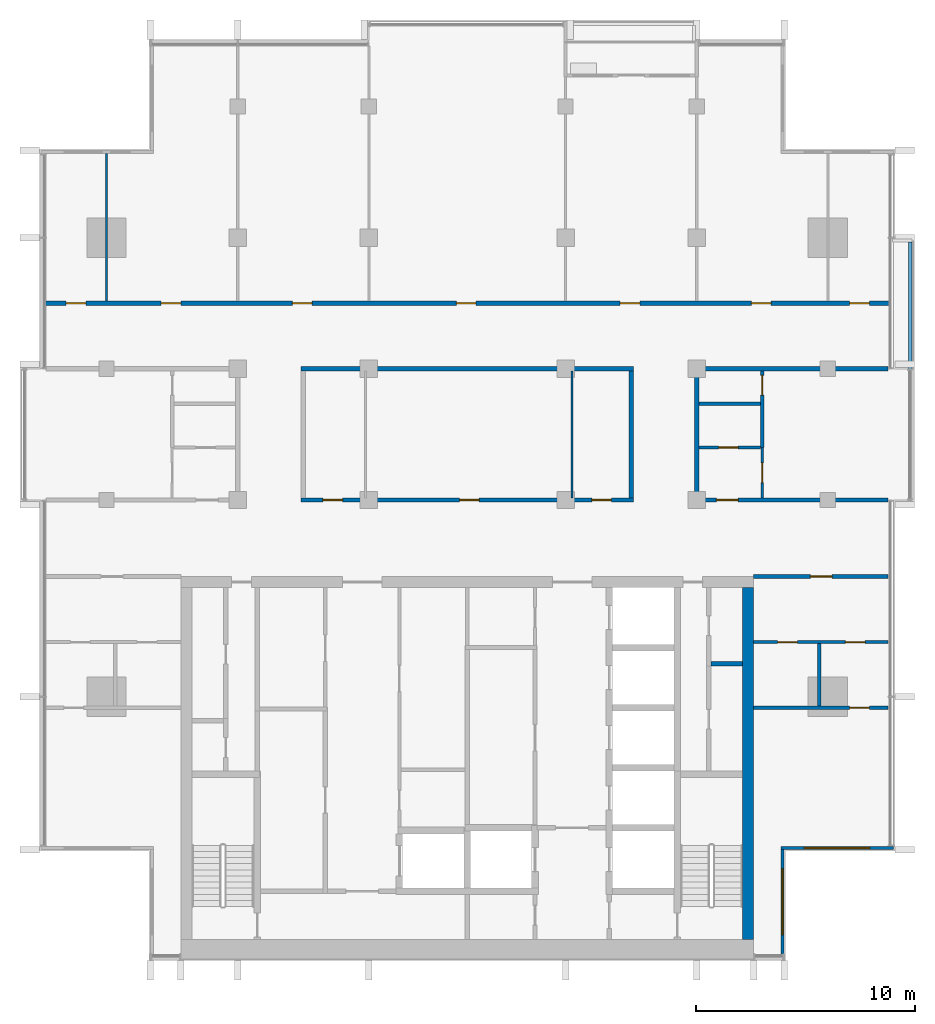
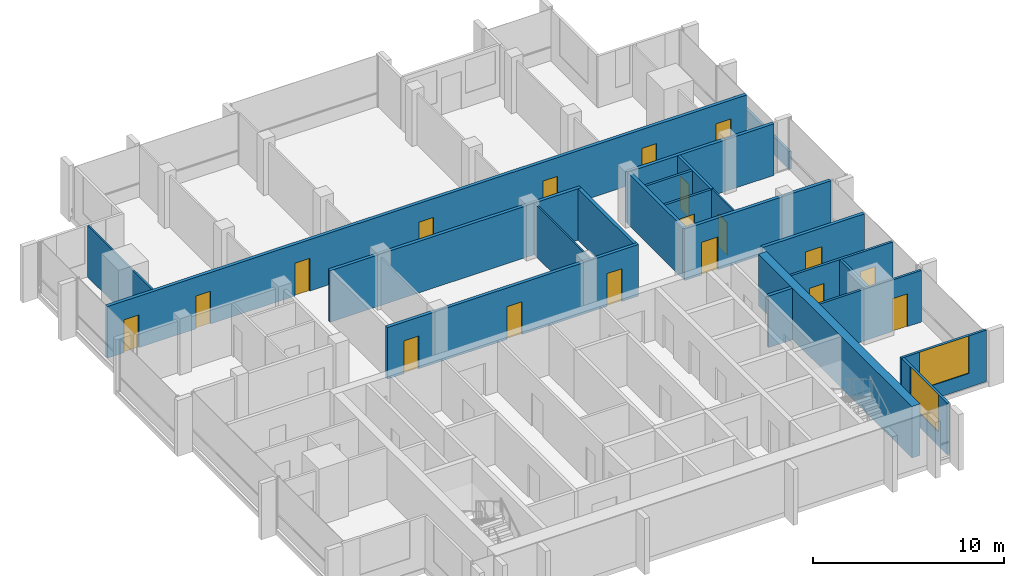
# One storey, part 9 of 15: 22 walls, 18 doors, 2 windows, 20 openings.
"""IFC4 building model written with IfcOpenShell, lengths in metres."""

import ifcopenshell
import ifcopenshell.guid

model = None  # the IFC model being written
_history = None  # IfcOwnerHistory: only IFC2X3 demands one
_inside = {}  # id of a spatial element -> (the spatial element, [elements in it])
_under = {}  # id of a project, library or spatial element -> (it, [spatial elements below it])
_declared = {}  # id of a project -> (the project, [libraries it declares])
_typed = {}  # id of a type object -> (the type object, [elements of that type])
_made_of = {}  # id of a material, layer set ... -> (it, [elements and type objects made of it])


def new_model(schema):
    """Start an empty IFC model of exactly this schema.

    Asked for "IFC4X3", IfcOpenShell would pick the latest addendum, in which some entities
    have other attributes; the version numbers below select the first issue.
    IFC2X3 requires an IfcOwnerHistory on every rooted entity: one is made here for all.
    """
    global model, _history
    if schema == "IFC4X3":
        model = ifcopenshell.file(schema_version=(4, 3, 0, 0))
    else:
        model = ifcopenshell.file(schema=schema)
    _inside.clear()
    _under.clear()
    _declared.clear()
    _typed.clear()
    _made_of.clear()
    _history = None
    if model.schema == "IFC2X3":
        org = make("IfcOrganization", Name="unknown")
        user = make(
            "IfcPersonAndOrganization",
            ThePerson=make("IfcPerson", FamilyName="unknown"),
            TheOrganization=org,
        )
        app = make(
            "IfcApplication",
            ApplicationDeveloper=org,
            Version="unknown",
            ApplicationFullName="unknown",
            ApplicationIdentifier="unknown",
        )
        _history = make(
            "IfcOwnerHistory",
            OwningUser=user,
            OwningApplication=app,
            ChangeAction="ADDED",
            CreationDate=0,
        )
    return model


def make(cls, **values):
    """One entity of the class cls with the attributes given. An attribute that is None is left unset."""
    return model.create_entity(
        cls, **{name: value for name, value in values.items() if value is not None}
    )


def rooted(cls, **values):
    """An entity with a GlobalId (a new one), such as an element, a storey or a relation."""
    return make(cls, GlobalId=ifcopenshell.guid.new(), OwnerHistory=_history, **values)


def si_unit(unit_type, name, prefix=None):
    """IfcSIUnit, for example si_unit("LENGTHUNIT", "METRE", prefix="MILLI")."""
    return make("IfcSIUnit", UnitType=unit_type, Prefix=prefix, Name=name)


def assignment(units):
    """IfcUnitAssignment: the units of a project."""
    return None if units is None else make("IfcUnitAssignment", Units=units)


def point(xyz):
    """IfcCartesianPoint."""
    return None if xyz is None else make("IfcCartesianPoint", Coordinates=xyz)


def direction(xyz):
    """IfcDirection."""
    return None if xyz is None else make("IfcDirection", DirectionRatios=xyz)


def frame(location, z_axis=None, x_axis=None):
    """IfcAxis2Placement3D, a coordinate frame: its origin and axes. An axis left out is left unset."""
    return make(
        "IfcAxis2Placement3D",
        Location=point(location),
        Axis=direction(z_axis),
        RefDirection=direction(x_axis),
    )


def frame_2d(location, x_axis=None):
    """IfcAxis2Placement2D, a coordinate frame in the plane: its origin and x axis."""
    return make(
        "IfcAxis2Placement2D", Location=point(location), RefDirection=direction(x_axis)
    )


def origin():
    """The frame at (0, 0, 0) with its axes left unset."""
    return frame((0.0, 0.0, 0.0))


def place(relative_to, where):
    """IfcLocalPlacement: puts the frame where relative to a parent placement (None: the world)."""
    return make(
        "IfcLocalPlacement", PlacementRelTo=relative_to, RelativePlacement=where
    )


def context(
    kind, dimensions, precision=None, world=None, true_north=None, identifier=None
):
    """IfcGeometricRepresentationContext, for example the 3D "Model" context."""
    return make(
        "IfcGeometricRepresentationContext",
        ContextIdentifier=identifier,
        ContextType=kind,
        CoordinateSpaceDimension=dimensions,
        Precision=precision,
        WorldCoordinateSystem=world,
        TrueNorth=true_north,
    )


def subcontext(parent, identifier, kind, view, scale=None):
    """IfcGeometricRepresentationSubContext, for example "Body" below "Model"."""
    return make(
        "IfcGeometricRepresentationSubContext",
        ContextIdentifier=identifier,
        ContextType=kind,
        ParentContext=parent,
        TargetScale=scale,
        TargetView=view,
    )


def project(units=None, contexts=None):
    """IfcProject with its units and contexts."""
    return rooted(
        "IfcProject",
        Name="project",
        RepresentationContexts=contexts,
        UnitsInContext=assignment(units),
    )


def spatial(cls, under=None, at=None, **own):
    """A site, building, storey or space (cls), placed at a placement, below another one or the project."""
    s = rooted(cls, ObjectPlacement=at, **own)
    if under is not None:
        _under.setdefault(under.id(), (under, []))[1].append(s)
    return s


def profile(cls, at=None, kind="AREA", **sizes):
    """A parametric profile (cls). Its sizes go by their IFC names, for example OverallWidth=200.0."""
    return make(cls, ProfileType=kind, Position=at, **sizes)


def rectangle(**sizes):
    """IfcRectangleProfileDef."""
    return profile("IfcRectangleProfileDef", **sizes)


def extrude(swept, where, along, depth):
    """IfcExtrudedAreaSolid: the profile swept, set in the frame where, extruded along a direction by depth."""
    return make(
        "IfcExtrudedAreaSolid",
        SweptArea=swept,
        Position=where,
        ExtrudedDirection=direction(along),
        Depth=depth,
    )


def shape(context_of_items, identifier, shape_type, items):
    """IfcShapeRepresentation: the items that make up one representation, for example the "Body"."""
    return make(
        "IfcShapeRepresentation",
        ContextOfItems=context_of_items,
        RepresentationIdentifier=identifier,
        RepresentationType=shape_type,
        Items=items,
    )


def material(Name=None, Category=None):
    """IfcMaterial."""
    return make("IfcMaterial", Name=Name, Category=Category)


def layer(
    of_material, thickness, ventilated=None, Name=None, Category=None, Priority=None
):
    """IfcMaterialLayer: one layer of a wall or slab, of a material (None: an air gap)."""
    return make(
        "IfcMaterialLayer",
        Material=of_material,
        LayerThickness=thickness,
        IsVentilated=ventilated,
        Name=Name,
        Category=Category,
        Priority=Priority,
    )


def layer_set(layers, Name=None):
    """IfcMaterialLayerSet."""
    return make("IfcMaterialLayerSet", MaterialLayers=layers, LayerSetName=Name)


def made_of(thing, what):
    """Note that an element or type object is made of a material, layer set ...; save() writes the relation."""
    if what is not None:
        _made_of.setdefault(what.id(), (what, []))[1].append(thing)
    return thing


def type_object(cls, material=None, **own):
    """A type object (cls), such as IfcWallType, which elements share."""
    return made_of(rooted(cls, **own), material)


def element(
    cls,
    number,
    at=None,
    inside=None,
    cuts=None,
    type_object=None,
    material=None,
    context=None,
    identifier="Body",
    shape_type=None,
    held_by="IfcProductDefinitionShape",
    body=None,
    shapes=None,
    **own,
):
    """One element of the class cls, such as IfcWall. Its Tag is "e" and its number.

    at: its placement. inside: the storey or other place that contains it. cuts: it is an
    opening in that element (IfcRelVoidsElement). A single representation is given by context,
    identifier, shape_type and body (its items); several are given by shapes. held_by: the class
    of the entity that holds the representations. save() writes the other relations.
    """
    e = rooted(cls, Tag="e%d" % number, ObjectPlacement=at, **own)
    if body is not None:
        shapes = [shape(context, identifier, shape_type, body)]
    if shapes is not None:
        e.Representation = make(held_by, Representations=shapes)
    if inside is not None:
        _inside.setdefault(inside.id(), (inside, []))[1].append(e)
    if cuts is not None:
        rooted(
            "IfcRelVoidsElement", RelatingBuildingElement=cuts, RelatedOpeningElement=e
        )
    if type_object is not None:
        _typed.setdefault(type_object.id(), (type_object, []))[1].append(e)
    return made_of(e, material)


def fill(opening, filler):
    """IfcRelFillsElement: the door or window that sits in an opening."""
    return rooted(
        "IfcRelFillsElement",
        RelatingOpeningElement=opening,
        RelatedBuildingElement=filler,
    )


def aggregate(whole, parts):
    """IfcRelAggregates: a whole, such as a stair, and the parts it consists of."""
    return rooted("IfcRelAggregates", RelatingObject=whole, RelatedObjects=parts)


def save(model, path):
    """Write the relations noted so far, then the file.

    IfcRelAggregates (storeys below a building ...), IfcRelContainedInSpatialStructure (elements
    in a storey), IfcRelDefinesByType, IfcRelAssociatesMaterial and IfcRelDeclares: one each for
    every whole, place, type object, material and project.
    """
    for whole, parts in _under.values():
        aggregate(whole, parts)
    for where, things in _inside.values():
        rooted(
            "IfcRelContainedInSpatialStructure",
            RelatedElements=things,
            RelatingStructure=where,
        )
    for kind, things in _typed.values():
        rooted("IfcRelDefinesByType", RelatedObjects=things, RelatingType=kind)
    for what, things in _made_of.values():
        rooted("IfcRelAssociatesMaterial", RelatedObjects=things, RelatingMaterial=what)
    for by, libraries in _declared.values():
        rooted("IfcRelDeclares", RelatingContext=by, RelatedDefinitions=libraries)
    model.write(path)


model = new_model("IFC4")

# Units and contexts
model_context = context("Model", 3, precision=1e-05, world=origin(), true_north=direction((0.0, 1.0)))
body_context = subcontext(model_context, "Body", "Model", "MODEL_VIEW")
ifc_project = project(units=[si_unit("LENGTHUNIT", "METRE"), si_unit("AREAUNIT", "SQUARE_METRE"), si_unit("VOLUMEUNIT", "CUBIC_METRE"), si_unit("PLANEANGLEUNIT", "RADIAN"), si_unit("MASSUNIT", "GRAM", prefix="KILO")], contexts=[model_context])

# Site, building, storey
site_placement = place(None, origin())
site = spatial("IfcSite", under=ifc_project, at=site_placement, CompositionType="ELEMENT")
building_placement = place(site_placement, origin())
building = spatial("IfcBuilding", under=site, at=building_placement, Name="Finial Court Residences", CompositionType="ELEMENT")
storey_placement = place(building_placement, frame((0.0, 0.0, 273.5)))
storey = spatial("IfcBuildingStorey", under=building, at=storey_placement, Name="L69", CompositionType="ELEMENT", Elevation=273.5)

# Wall
ifc_material_1 = material(Name="Concrete C50/60", Category="concrete")
ifc_layer_1 = layer(ifc_material_1, 0.5)
ifc_layer_set_1 = layer_set([ifc_layer_1], Name="Core outer wall 500 Concrete C50/60")
wall_type_1 = type_object("IfcWallType", Name="Core outer wall 500 Concrete C50/60", PredefinedType="SHEAR", material=ifc_layer_set_1)
wall_1_placement = place(storey_placement, frame((12.85009765625, -24.60009765625, 0.0), z_axis=(0.0, 0.0, 1.0), x_axis=(0.0, 1.0, 0.0)))
element("IfcWall", 1, at=wall_1_placement, inside=storey, type_object=wall_type_1, Name="Core outer wall L69-04", PredefinedType="SHEAR", context=body_context, shape_type="SweptSolid", body=[
    extrude(rectangle(XDim=16.10009765625, YDim=0.5, at=frame_2d((8.050048828125, 0.0))), origin(), (0.0, 0.0, 1.0), 3.300048828125),
])

# Wall, opening, door
ifc_material_2 = material(Name="Gypsum board")
ifc_layer_2 = layer(ifc_material_2, 0.02490234375)
ifc_material_3 = material(Name="Acoustic mineral wool in double frame")
ifc_layer_3 = layer(ifc_material_3, 0.14990234375)
ifc_layer_4 = layer(ifc_material_2, 0.02490234375)
ifc_layer_set_2 = layer_set([ifc_layer_2, ifc_layer_3, ifc_layer_4], Name="Corridor wall 200, 1 hour")
wall_type_2 = type_object("IfcWallType", Name="Corridor wall 200, 1 hour", PredefinedType="PARTITIONING", material=ifc_layer_set_2)
wall_2_placement = place(storey_placement, frame((13.10009765625, -8.0, 0.0), z_axis=(0.0, 0.0, 1.0), x_axis=(1.0, 0.0, 0.0)))
wall_2 = element("IfcWall", 2, at=wall_2_placement, inside=storey, type_object=wall_type_2, Name="Partition L69-005", PredefinedType="PARTITIONING", context=body_context, shape_type="SweptSolid", body=[
    extrude(rectangle(XDim=6.162353515625, YDim=0.199951171875, at=frame_2d((3.0810546875, 0.0))), origin(), (0.0, 0.0, 1.0), 3.300048828125),
])
opening_1_placement = place(wall_2_placement, frame((2.60009765625, 0.0, 0.0)))
opening_1 = element("IfcOpeningElement", 3, at=opening_1_placement, cuts=wall_2, Name="Opening L69-D008", PredefinedType="OPENING", context=body_context, shape_type="SweptSolid", body=[
    extrude(rectangle(XDim=1.0, YDim=2.10009765625, at=frame_2d((0.5, 1.050048828125))), frame((0.0, 0.10986328125, 0.0), z_axis=(0.0, -1.0, 0.0), x_axis=(1.0, 0.0, 0.0)), (0.0, 0.0, 1.0), 0.219970703125),
])
ifc_material_4 = material(Name="Timber door leaf in hollow metal frame", Category="wood")
door_type_1 = type_object("IfcDoorType", Name="Fire door set 1000 x 2100, 30 minutes", OperationType="SINGLE_SWING_LEFT", PredefinedType="DOOR", material=ifc_material_4)
door_1_placement = place(opening_1_placement, origin())
door_1 = element("IfcDoor", 4, at=door_1_placement, inside=storey, type_object=door_type_1, Name="Door L69-D008", OperationType="SINGLE_SWING_LEFT", OverallHeight=2.10009765625, OverallWidth=1.0, PredefinedType="DOOR", context=body_context, shape_type="SweptSolid", body=[
    extrude(rectangle(XDim=1.0, YDim=2.10009765625, at=frame_2d((0.5, 1.050048828125))), frame((0.0, 0.02490234375, 0.0), z_axis=(0.0, -1.0, 0.0), x_axis=(1.0, 0.0, 0.0)), (0.0, 0.0, 1.0), 0.050048828125),
])
fill(opening_1, door_1)

# Wall, openings, doors
wall_3_placement = place(storey_placement, frame((-7.60009765625, -4.5, 0.0), z_axis=(0.0, 0.0, 1.0), x_axis=(1.0, 0.0, 0.0)))
wall_3 = element("IfcWall", 5, at=wall_3_placement, inside=storey, type_object=wall_type_2, Name="Partition L69-007", PredefinedType="PARTITIONING", context=body_context, shape_type="SweptSolid", body=[
    extrude(rectangle(XDim=15.2001953125, YDim=0.199951171875, at=frame_2d((7.60009765625, 0.0))), origin(), (0.0, 0.0, 1.0), 3.300048828125),
])
opening_2_placement = place(wall_3_placement, frame((1.0, 0.0, 0.0)))
opening_2 = element("IfcOpeningElement", 6, at=opening_2_placement, cuts=wall_3, Name="Opening L69-D010", PredefinedType="OPENING", context=body_context, shape_type="SweptSolid", body=[
    extrude(rectangle(XDim=0.89990234375, YDim=2.10009765625, at=frame_2d((0.449951171875, 1.050048828125))), frame((0.0, 0.10986328125, 0.0), z_axis=(0.0, -1.0, 0.0), x_axis=(1.0, 0.0, 0.0)), (0.0, 0.0, 1.0), 0.219970703125),
])
opening_3_placement = place(wall_3_placement, frame((7.25, 0.0, 0.0)))
opening_3 = element("IfcOpeningElement", 7, at=opening_3_placement, cuts=wall_3, Name="Opening L69-D011", PredefinedType="OPENING", context=body_context, shape_type="SweptSolid", body=[
    extrude(rectangle(XDim=0.89990234375, YDim=2.10009765625, at=frame_2d((0.449951171875, 1.050048828125))), frame((0.0, 0.10986328125, 0.0), z_axis=(0.0, -1.0, 0.0), x_axis=(1.0, 0.0, 0.0)), (0.0, 0.0, 1.0), 0.219970703125),
])
opening_4_placement = place(wall_3_placement, frame((13.300048828125, 0.0, 0.0)))
opening_4 = element("IfcOpeningElement", 8, at=opening_4_placement, cuts=wall_3, Name="Opening L69-D012", PredefinedType="OPENING", context=body_context, shape_type="SweptSolid", body=[
    extrude(rectangle(XDim=0.89990234375, YDim=2.10009765625, at=frame_2d((0.449951171875, 1.050048828125))), frame((0.0, 0.10986328125, 0.0), z_axis=(0.0, -1.0, 0.0), x_axis=(1.0, 0.0, 0.0)), (0.0, 0.0, 1.0), 0.219970703125),
])
door_type_2 = type_object("IfcDoorType", Name="Fire door set 900 x 2100, 30 minutes", OperationType="SINGLE_SWING_LEFT", PredefinedType="DOOR", material=ifc_material_4)
door_2_placement = place(opening_2_placement, origin())
door_2 = element("IfcDoor", 9, at=door_2_placement, inside=storey, type_object=door_type_2, Name="Door L69-D010", OperationType="SINGLE_SWING_RIGHT", OverallHeight=2.10009765625, OverallWidth=0.89990234375, PredefinedType="DOOR", context=body_context, shape_type="SweptSolid", body=[
    extrude(rectangle(XDim=0.89990234375, YDim=2.10009765625, at=frame_2d((0.449951171875, 1.050048828125))), frame((0.0, 0.02490234375, 0.0), z_axis=(0.0, -1.0, 0.0), x_axis=(1.0, 0.0, 0.0)), (0.0, 0.0, 1.0), 0.050048828125),
])
fill(opening_2, door_2)
door_3_placement = place(opening_3_placement, origin())
door_3 = element("IfcDoor", 10, at=door_3_placement, inside=storey, type_object=door_type_2, Name="Door L69-D011", OperationType="SINGLE_SWING_RIGHT", OverallHeight=2.10009765625, OverallWidth=0.89990234375, PredefinedType="DOOR", context=body_context, shape_type="SweptSolid", body=[
    extrude(rectangle(XDim=0.89990234375, YDim=2.10009765625, at=frame_2d((0.449951171875, 1.050048828125))), frame((0.0, 0.02490234375, 0.0), z_axis=(0.0, -1.0, 0.0), x_axis=(1.0, 0.0, 0.0)), (0.0, 0.0, 1.0), 0.050048828125),
])
fill(opening_3, door_3)
door_4_placement = place(opening_4_placement, origin())
door_4 = element("IfcDoor", 11, at=door_4_placement, inside=storey, type_object=door_type_2, Name="Door L69-D012", OperationType="SINGLE_SWING_LEFT", OverallHeight=2.10009765625, OverallWidth=0.89990234375, PredefinedType="DOOR", context=body_context, shape_type="SweptSolid", body=[
    extrude(rectangle(XDim=0.89990234375, YDim=2.10009765625, at=frame_2d((0.449951171875, 1.050048828125))), frame((0.0, 0.02490234375, 0.0), z_axis=(0.0, -1.0, 0.0), x_axis=(1.0, 0.0, 0.0)), (0.0, 0.0, 1.0), 0.050048828125),
])
fill(opening_4, door_4)

# Wall, opening, door
wall_4_placement = place(storey_placement, frame((10.39990234375, -4.5, 0.0), z_axis=(0.0, 0.0, 1.0), x_axis=(1.0, 0.0, 0.0)))
wall_4 = element("IfcWall", 12, at=wall_4_placement, inside=storey, type_object=wall_type_2, Name="Partition L69-008", PredefinedType="PARTITIONING", context=body_context, shape_type="SweptSolid", body=[
    extrude(rectangle(XDim=8.862548828125, YDim=0.199951171875, at=frame_2d((4.43115234375, 0.0))), origin(), (0.0, 0.0, 1.0), 3.300048828125),
])
opening_5_placement = place(wall_4_placement, frame((1.0, 0.0, 0.0)))
opening_5 = element("IfcOpeningElement", 13, at=opening_5_placement, cuts=wall_4, Name="Opening L69-D013", PredefinedType="OPENING", context=body_context, shape_type="SweptSolid", body=[
    extrude(rectangle(XDim=1.0, YDim=2.10009765625, at=frame_2d((0.5, 1.050048828125))), frame((0.0, 0.10986328125, 0.0), z_axis=(0.0, -1.0, 0.0), x_axis=(1.0, 0.0, 0.0)), (0.0, 0.0, 1.0), 0.219970703125),
])
door_5_placement = place(opening_5_placement, origin())
door_5 = element("IfcDoor", 14, at=door_5_placement, inside=storey, type_object=door_type_1, Name="Door L69-D013", OperationType="SINGLE_SWING_RIGHT", OverallHeight=2.10009765625, OverallWidth=1.0, PredefinedType="DOOR", context=body_context, shape_type="SweptSolid", body=[
    extrude(rectangle(XDim=1.0, YDim=2.10009765625, at=frame_2d((0.5, 1.050048828125))), frame((0.0, 0.02490234375, 0.0), z_axis=(0.0, -1.0, 0.0), x_axis=(1.0, 0.0, 0.0)), (0.0, 0.0, 1.0), 0.050048828125),
])
fill(opening_5, door_5)

# Walls
wall_5_placement = place(storey_placement, frame((-7.60009765625, 1.5, 0.0), z_axis=(0.0, 0.0, 1.0), x_axis=(1.0, 0.0, 0.0)))
element("IfcWall", 15, at=wall_5_placement, inside=storey, type_object=wall_type_2, Name="Partition L69-014", PredefinedType="PARTITIONING", context=body_context, shape_type="SweptSolid", body=[
    extrude(rectangle(XDim=15.2001953125, YDim=0.199951171875, at=frame_2d((7.60009765625, 0.0))), origin(), (0.0, 0.0, 1.0), 3.300048828125),
])
wall_6_placement = place(storey_placement, frame((10.39990234375, 1.5, 0.0), z_axis=(0.0, 0.0, 1.0), x_axis=(1.0, 0.0, 0.0)))
element("IfcWall", 16, at=wall_6_placement, inside=storey, type_object=wall_type_2, Name="Partition L69-015", PredefinedType="PARTITIONING", context=body_context, shape_type="SweptSolid", body=[
    extrude(rectangle(XDim=8.862548828125, YDim=0.199951171875, at=frame_2d((4.43115234375, 0.0))), origin(), (0.0, 0.0, 1.0), 3.300048828125),
])

# Wall, openings, doors
wall_7_placement = place(storey_placement, frame((-19.35009765625, 4.5, 0.0), z_axis=(0.0, 0.0, 1.0), x_axis=(1.0, 0.0, 0.0)))
wall_7 = element("IfcWall", 17, at=wall_7_placement, inside=storey, type_object=wall_type_2, Name="Partition L69-016", PredefinedType="PARTITIONING", context=body_context, shape_type="SweptSolid", body=[
    extrude(rectangle(XDim=38.7001953125, YDim=0.199951171875, at=frame_2d((19.35009765625, 0.0))), origin(), (0.0, 0.0, 1.0), 3.300048828125),
])
opening_6_placement = place(wall_7_placement, frame((1.0, 0.0, 0.0)))
opening_6 = element("IfcOpeningElement", 18, at=opening_6_placement, cuts=wall_7, Name="Opening L69-D016", PredefinedType="OPENING", context=body_context, shape_type="SweptSolid", body=[
    extrude(rectangle(XDim=0.89990234375, YDim=2.10009765625, at=frame_2d((0.449951171875, 1.050048828125))), frame((0.0, 0.10986328125, 0.0), z_axis=(0.0, -1.0, 0.0), x_axis=(1.0, 0.0, 0.0)), (0.0, 0.0, 1.0), 0.219970703125),
])
opening_7_placement = place(wall_7_placement, frame((5.35009765625, 0.0, 0.0)))
opening_7 = element("IfcOpeningElement", 19, at=opening_7_placement, cuts=wall_7, Name="Opening L69-D017", PredefinedType="OPENING", context=body_context, shape_type="SweptSolid", body=[
    extrude(rectangle(XDim=0.89990234375, YDim=2.10009765625, at=frame_2d((0.449951171875, 1.050048828125))), frame((0.0, 0.10986328125, 0.0), z_axis=(0.0, -1.0, 0.0), x_axis=(1.0, 0.0, 0.0)), (0.0, 0.0, 1.0), 0.219970703125),
])
opening_8_placement = place(wall_7_placement, frame((11.35009765625, 0.0, 0.0)))
opening_8 = element("IfcOpeningElement", 20, at=opening_8_placement, cuts=wall_7, Name="Opening L69-D018", PredefinedType="OPENING", context=body_context, shape_type="SweptSolid", body=[
    extrude(rectangle(XDim=0.89990234375, YDim=2.10009765625, at=frame_2d((0.449951171875, 1.050048828125))), frame((0.0, 0.10986328125, 0.0), z_axis=(0.0, -1.0, 0.0), x_axis=(1.0, 0.0, 0.0)), (0.0, 0.0, 1.0), 0.219970703125),
])
opening_9_placement = place(wall_7_placement, frame((18.85009765625, 0.0, 0.0)))
opening_9 = element("IfcOpeningElement", 21, at=opening_9_placement, cuts=wall_7, Name="Opening L69-D019", PredefinedType="OPENING", context=body_context, shape_type="SweptSolid", body=[
    extrude(rectangle(XDim=0.89990234375, YDim=2.10009765625, at=frame_2d((0.449951171875, 1.050048828125))), frame((0.0, 0.10986328125, 0.0), z_axis=(0.0, -1.0, 0.0), x_axis=(1.0, 0.0, 0.0)), (0.0, 0.0, 1.0), 0.219970703125),
])
opening_10_placement = place(wall_7_placement, frame((26.35009765625, 0.0, 0.0)))
opening_10 = element("IfcOpeningElement", 22, at=opening_10_placement, cuts=wall_7, Name="Opening L69-D020", PredefinedType="OPENING", context=body_context, shape_type="SweptSolid", body=[
    extrude(rectangle(XDim=0.89990234375, YDim=2.10009765625, at=frame_2d((0.449951171875, 1.050048828125))), frame((0.0, 0.10986328125, 0.0), z_axis=(0.0, -1.0, 0.0), x_axis=(1.0, 0.0, 0.0)), (0.0, 0.0, 1.0), 0.219970703125),
])
opening_11_placement = place(wall_7_placement, frame((32.35009765625, 0.0, 0.0)))
opening_11 = element("IfcOpeningElement", 23, at=opening_11_placement, cuts=wall_7, Name="Opening L69-D021", PredefinedType="OPENING", context=body_context, shape_type="SweptSolid", body=[
    extrude(rectangle(XDim=0.89990234375, YDim=2.10009765625, at=frame_2d((0.449951171875, 1.050048828125))), frame((0.0, 0.10986328125, 0.0), z_axis=(0.0, -1.0, 0.0), x_axis=(1.0, 0.0, 0.0)), (0.0, 0.0, 1.0), 0.219970703125),
])
opening_12_placement = place(wall_7_placement, frame((36.85009765625, 0.0, 0.0)))
opening_12 = element("IfcOpeningElement", 24, at=opening_12_placement, cuts=wall_7, Name="Opening L69-D022", PredefinedType="OPENING", context=body_context, shape_type="SweptSolid", body=[
    extrude(rectangle(XDim=0.89990234375, YDim=2.10009765625, at=frame_2d((0.449951171875, 1.050048828125))), frame((0.0, 0.10986328125, 0.0), z_axis=(0.0, -1.0, 0.0), x_axis=(1.0, 0.0, 0.0)), (0.0, 0.0, 1.0), 0.219970703125),
])
door_6_placement = place(opening_6_placement, origin())
door_6 = element("IfcDoor", 25, at=door_6_placement, inside=storey, type_object=door_type_2, Name="Door L69-D016", OperationType="SINGLE_SWING_RIGHT", OverallHeight=2.10009765625, OverallWidth=0.89990234375, PredefinedType="DOOR", context=body_context, shape_type="SweptSolid", body=[
    extrude(rectangle(XDim=0.89990234375, YDim=2.10009765625, at=frame_2d((0.449951171875, 1.050048828125))), frame((0.0, 0.02490234375, 0.0), z_axis=(0.0, -1.0, 0.0), x_axis=(1.0, 0.0, 0.0)), (0.0, 0.0, 1.0), 0.050048828125),
])
fill(opening_6, door_6)
door_7_placement = place(opening_7_placement, origin())
door_7 = element("IfcDoor", 26, at=door_7_placement, inside=storey, type_object=door_type_2, Name="Door L69-D017", OperationType="SINGLE_SWING_RIGHT", OverallHeight=2.10009765625, OverallWidth=0.89990234375, PredefinedType="DOOR", context=body_context, shape_type="SweptSolid", body=[
    extrude(rectangle(XDim=0.89990234375, YDim=2.10009765625, at=frame_2d((0.449951171875, 1.050048828125))), frame((0.0, 0.02490234375, 0.0), z_axis=(0.0, -1.0, 0.0), x_axis=(1.0, 0.0, 0.0)), (0.0, 0.0, 1.0), 0.050048828125),
])
fill(opening_7, door_7)
door_8_placement = place(opening_8_placement, origin())
door_8 = element("IfcDoor", 27, at=door_8_placement, inside=storey, type_object=door_type_2, Name="Door L69-D018", OperationType="SINGLE_SWING_RIGHT", OverallHeight=2.10009765625, OverallWidth=0.89990234375, PredefinedType="DOOR", context=body_context, shape_type="SweptSolid", body=[
    extrude(rectangle(XDim=0.89990234375, YDim=2.10009765625, at=frame_2d((0.449951171875, 1.050048828125))), frame((0.0, 0.02490234375, 0.0), z_axis=(0.0, -1.0, 0.0), x_axis=(1.0, 0.0, 0.0)), (0.0, 0.0, 1.0), 0.050048828125),
])
fill(opening_8, door_8)
door_9_placement = place(opening_9_placement, origin())
door_9 = element("IfcDoor", 28, at=door_9_placement, inside=storey, type_object=door_type_2, Name="Door L69-D019", OperationType="SINGLE_SWING_RIGHT", OverallHeight=2.10009765625, OverallWidth=0.89990234375, PredefinedType="DOOR", context=body_context, shape_type="SweptSolid", body=[
    extrude(rectangle(XDim=0.89990234375, YDim=2.10009765625, at=frame_2d((0.449951171875, 1.050048828125))), frame((0.0, 0.02490234375, 0.0), z_axis=(0.0, -1.0, 0.0), x_axis=(1.0, 0.0, 0.0)), (0.0, 0.0, 1.0), 0.050048828125),
])
fill(opening_9, door_9)
door_10_placement = place(opening_10_placement, origin())
door_10 = element("IfcDoor", 29, at=door_10_placement, inside=storey, type_object=door_type_2, Name="Door L69-D020", OperationType="SINGLE_SWING_LEFT", OverallHeight=2.10009765625, OverallWidth=0.89990234375, PredefinedType="DOOR", context=body_context, shape_type="SweptSolid", body=[
    extrude(rectangle(XDim=0.89990234375, YDim=2.10009765625, at=frame_2d((0.449951171875, 1.050048828125))), frame((0.0, 0.02490234375, 0.0), z_axis=(0.0, -1.0, 0.0), x_axis=(1.0, 0.0, 0.0)), (0.0, 0.0, 1.0), 0.050048828125),
])
fill(opening_10, door_10)
door_11_placement = place(opening_11_placement, origin())
door_11 = element("IfcDoor", 30, at=door_11_placement, inside=storey, type_object=door_type_2, Name="Door L69-D021", OperationType="SINGLE_SWING_LEFT", OverallHeight=2.10009765625, OverallWidth=0.89990234375, PredefinedType="DOOR", context=body_context, shape_type="SweptSolid", body=[
    extrude(rectangle(XDim=0.89990234375, YDim=2.10009765625, at=frame_2d((0.449951171875, 1.050048828125))), frame((0.0, 0.02490234375, 0.0), z_axis=(0.0, -1.0, 0.0), x_axis=(1.0, 0.0, 0.0)), (0.0, 0.0, 1.0), 0.050048828125),
])
fill(opening_11, door_11)
door_12_placement = place(opening_12_placement, origin())
door_12 = element("IfcDoor", 31, at=door_12_placement, inside=storey, type_object=door_type_2, Name="Door L69-D022", OperationType="SINGLE_SWING_LEFT", OverallHeight=2.10009765625, OverallWidth=0.89990234375, PredefinedType="DOOR", context=body_context, shape_type="SweptSolid", body=[
    extrude(rectangle(XDim=0.89990234375, YDim=2.10009765625, at=frame_2d((0.449951171875, 1.050048828125))), frame((0.0, 0.02490234375, 0.0), z_axis=(0.0, -1.0, 0.0), x_axis=(1.0, 0.0, 0.0)), (0.0, 0.0, 1.0), 0.050048828125),
])
fill(opening_12, door_12)

# Walls
for number, where, z_axis, x_axis, name in (
    (32, (7.5, -4.39990234375, 0.0), (0.0, 0.0, 1.0), (0.0, 1.0, 0.0), "Partition L69-028"),
    (33, (10.5, -4.39990234375, 0.0), (0.0, 0.0, 1.0), (0.0, 1.0, 0.0), "Partition L69-029"),
):
    element("IfcWall", number, at=place(storey_placement, frame(where, z_axis=z_axis, x_axis=x_axis)), inside=storey, type_object=wall_type_2, Name=name, PredefinedType="PARTITIONING", context=body_context, shape_type="SweptSolid", body=[
        extrude(rectangle(XDim=5.7998046875, YDim=0.199951171875, at=frame_2d((2.89990234375, 0.0))), origin(), (0.0, 0.0, 1.0), 3.300048828125),
    ])
ifc_layer_5 = layer(ifc_material_2, 0.012451171875)
ifc_material_5 = material(Name="Mineral wool in light-gauge frame")
ifc_layer_6 = layer(ifc_material_5, 0.074951171875)
ifc_layer_7 = layer(ifc_material_2, 0.012451171875)
ifc_layer_set_3 = layer_set([ifc_layer_5, ifc_layer_6, ifc_layer_7], Name="Gypsum board partition 100")
wall_type_3 = type_object("IfcWallType", Name="Gypsum board partition 100", PredefinedType="PARTITIONING", material=ifc_layer_set_3)
wall_8_placement = place(storey_placement, frame((-16.5, 4.60009765625, 0.0), z_axis=(0.0, 0.0, 1.0), x_axis=(0.0, 1.0, 0.0)))
element("IfcWall", 34, at=wall_8_placement, inside=storey, type_object=wall_type_3, Name="Partition L69-017", PredefinedType="PARTITIONING", context=body_context, shape_type="SweptSolid", body=[
    extrude(rectangle(XDim=6.75, YDim=0.10009765625, at=frame_2d((3.375, 0.0))), origin(), (0.0, 0.0, 1.0), 3.300048828125),
])
wall_9_placement = place(storey_placement, frame((4.800048828125, -4.39990234375, 0.0), z_axis=(0.0, 0.0, 1.0), x_axis=(0.0, 1.0, 0.0)))
element("IfcWall", 35, at=wall_9_placement, inside=storey, type_object=wall_type_3, Name="Partition L69-027", PredefinedType="PARTITIONING", context=body_context, shape_type="SweptSolid", body=[
    extrude(rectangle(XDim=5.7998046875, YDim=0.10009765625, at=frame_2d((2.89990234375, 0.0))), origin(), (0.0, 0.0, 1.0), 3.300048828125),
])

# Wall, opening, door
wall_10_placement = place(storey_placement, frame((13.5, -4.39990234375, 0.0), z_axis=(0.0, 0.0, 1.0), x_axis=(0.0, 1.0, 0.0)))
wall_10 = element("IfcWall", 36, at=wall_10_placement, inside=storey, type_object=wall_type_3, Name="Partition L69-031", PredefinedType="PARTITIONING", context=body_context, shape_type="SweptSolid", body=[
    extrude(rectangle(XDim=2.2998046875, YDim=0.10009765625, at=frame_2d((1.14990234375, 0.0))), origin(), (0.0, 0.0, 1.0), 3.300048828125),
])
opening_13_placement = place(wall_10_placement, frame((0.699951171875, 0.0, 0.0)))
opening_13 = element("IfcOpeningElement", 37, at=opening_13_placement, cuts=wall_10, Name="Opening L69-D025", PredefinedType="OPENING", context=body_context, shape_type="SweptSolid", body=[
    extrude(rectangle(XDim=0.89990234375, YDim=2.10009765625, at=frame_2d((0.449951171875, 1.050048828125))), frame((0.0, 0.06005859375, 0.0), z_axis=(0.0, -1.0, 0.0), x_axis=(1.0, 0.0, 0.0)), (0.0, 0.0, 1.0), 0.1201171875),
])
ifc_material_6 = material(Name="Timber door leaf in timber frame", Category="wood")
door_type_3 = type_object("IfcDoorType", Name="Door set 900 x 2100", OperationType="SINGLE_SWING_LEFT", PredefinedType="DOOR", material=ifc_material_6)
door_13_placement = place(opening_13_placement, origin())
door_13 = element("IfcDoor", 38, at=door_13_placement, inside=storey, type_object=door_type_3, Name="Door L69-D025", OperationType="SINGLE_SWING_LEFT", OverallHeight=2.10009765625, OverallWidth=0.89990234375, PredefinedType="DOOR", context=body_context, shape_type="SweptSolid", body=[
    extrude(rectangle(XDim=0.89990234375, YDim=2.10009765625, at=frame_2d((0.449951171875, 1.050048828125))), frame((0.0, 0.02490234375, 0.0), z_axis=(0.0, -1.0, 0.0), x_axis=(1.0, 0.0, 0.0)), (0.0, 0.0, 1.0), 0.050048828125),
])
fill(opening_13, door_13)

ifc_material_7 = material(Name="Moisture-resistant gypsum board")
ifc_layer_8 = layer(ifc_material_7, 0.012451171875)
ifc_layer_9 = layer(ifc_material_5, 0.125)
ifc_layer_10 = layer(ifc_material_7, 0.012451171875)
ifc_layer_set_4 = layer_set([ifc_layer_8, ifc_layer_9, ifc_layer_10], Name="Gypsum board wet-area partition 150")
wall_type_4 = type_object("IfcWallType", Name="Gypsum board wet-area partition 150", PredefinedType="PARTITIONING", material=ifc_layer_set_4)
wall_11_placement = place(storey_placement, frame((13.10009765625, -14.0, 0.0), z_axis=(0.0, 0.0, 1.0), x_axis=(1.0, 0.0, 0.0)))
wall_11 = element("IfcWall", 39, at=wall_11_placement, inside=storey, type_object=wall_type_4, Name="Partition L69-001", PredefinedType="PARTITIONING", context=body_context, shape_type="SweptSolid", body=[
    extrude(rectangle(XDim=6.162353515625, YDim=0.14990234375, at=frame_2d((3.0810546875, 0.0))), origin(), (0.0, 0.0, 1.0), 3.300048828125),
])
opening_14_placement = place(wall_11_placement, frame((4.39990234375, 0.0, 0.0)))
opening_14 = element("IfcOpeningElement", 40, at=opening_14_placement, cuts=wall_11, Name="Opening L69-D002", PredefinedType="OPENING", context=body_context, shape_type="SweptSolid", body=[
    extrude(rectangle(XDim=0.89990234375, YDim=2.10009765625, at=frame_2d((0.449951171875, 1.050048828125))), frame((0.0, 0.0849609375, 0.0), z_axis=(0.0, -1.0, 0.0), x_axis=(1.0, 0.0, 0.0)), (0.0, 0.0, 1.0), 0.169921875),
])
door_14_placement = place(opening_14_placement, origin())
door_14 = element("IfcDoor", 41, at=door_14_placement, inside=storey, type_object=door_type_3, Name="Door L69-D002", OperationType="SINGLE_SWING_RIGHT", OverallHeight=2.10009765625, OverallWidth=0.89990234375, PredefinedType="DOOR", context=body_context, shape_type="SweptSolid", body=[
    extrude(rectangle(XDim=0.89990234375, YDim=2.10009765625, at=frame_2d((0.449951171875, 1.050048828125))), frame((0.0, 0.02490234375, 0.0), z_axis=(0.0, -1.0, 0.0), x_axis=(1.0, 0.0, 0.0)), (0.0, 0.0, 1.0), 0.050048828125),
])
fill(opening_14, door_14)

# Wall, openings, doors
wall_12_placement = place(storey_placement, frame((13.10009765625, -11.0, 0.0), z_axis=(0.0, 0.0, 1.0), x_axis=(1.0, 0.0, 0.0)))
wall_12 = element("IfcWall", 42, at=wall_12_placement, inside=storey, type_object=wall_type_4, Name="Partition L69-003", PredefinedType="PARTITIONING", context=body_context, shape_type="SweptSolid", body=[
    extrude(rectangle(XDim=6.162353515625, YDim=0.14990234375, at=frame_2d((3.0810546875, 0.0))), origin(), (0.0, 0.0, 1.0), 3.300048828125),
])
opening_15_placement = place(wall_12_placement, frame((1.10009765625, 0.0, 0.0)))
opening_15 = element("IfcOpeningElement", 43, at=opening_15_placement, cuts=wall_12, Name="Opening L69-D005", PredefinedType="OPENING", context=body_context, shape_type="SweptSolid", body=[
    extrude(rectangle(XDim=0.89990234375, YDim=2.10009765625, at=frame_2d((0.449951171875, 1.050048828125))), frame((0.0, 0.0849609375, 0.0), z_axis=(0.0, -1.0, 0.0), x_axis=(1.0, 0.0, 0.0)), (0.0, 0.0, 1.0), 0.169921875),
])
opening_16_placement = place(wall_12_placement, frame((4.199951171875, 0.0, 0.0)))
opening_16 = element("IfcOpeningElement", 44, at=opening_16_placement, cuts=wall_12, Name="Opening L69-D006", PredefinedType="OPENING", context=body_context, shape_type="SweptSolid", body=[
    extrude(rectangle(XDim=0.89990234375, YDim=2.10009765625, at=frame_2d((0.449951171875, 1.050048828125))), frame((0.0, 0.0849609375, 0.0), z_axis=(0.0, -1.0, 0.0), x_axis=(1.0, 0.0, 0.0)), (0.0, 0.0, 1.0), 0.169921875),
])
door_15_placement = place(opening_15_placement, origin())
door_15 = element("IfcDoor", 45, at=door_15_placement, inside=storey, type_object=door_type_3, Name="Door L69-D005", OperationType="SINGLE_SWING_LEFT", OverallHeight=2.10009765625, OverallWidth=0.89990234375, PredefinedType="DOOR", context=body_context, shape_type="SweptSolid", body=[
    extrude(rectangle(XDim=0.89990234375, YDim=2.10009765625, at=frame_2d((0.449951171875, 1.050048828125))), frame((0.0, 0.02490234375, 0.0), z_axis=(0.0, -1.0, 0.0), x_axis=(1.0, 0.0, 0.0)), (0.0, 0.0, 1.0), 0.050048828125),
])
fill(opening_15, door_15)
door_16_placement = place(opening_16_placement, origin())
door_16 = element("IfcDoor", 46, at=door_16_placement, inside=storey, type_object=door_type_3, Name="Door L69-D006", OperationType="SINGLE_SWING_RIGHT", OverallHeight=2.10009765625, OverallWidth=0.89990234375, PredefinedType="DOOR", context=body_context, shape_type="SweptSolid", body=[
    extrude(rectangle(XDim=0.89990234375, YDim=2.10009765625, at=frame_2d((0.449951171875, 1.050048828125))), frame((0.0, 0.02490234375, 0.0), z_axis=(0.0, -1.0, 0.0), x_axis=(1.0, 0.0, 0.0)), (0.0, 0.0, 1.0), 0.050048828125),
])
fill(opening_16, door_16)

# Wall, opening, door
wall_13_placement = place(storey_placement, frame((10.60009765625, -2.10009765625, 0.0), z_axis=(0.0, 0.0, 1.0), x_axis=(1.0, 0.0, 0.0)))
wall_13 = element("IfcWall", 47, at=wall_13_placement, inside=storey, type_object=wall_type_4, Name="Partition L69-010", PredefinedType="PARTITIONING", context=body_context, shape_type="SweptSolid", body=[
    extrude(rectangle(XDim=2.824951171875, YDim=0.14990234375, at=frame_2d((1.41259765625, 0.0))), origin(), (0.0, 0.0, 1.0), 3.300048828125),
])
opening_17_placement = place(wall_13_placement, frame((0.89990234375, 0.0, 0.0)))
opening_17 = element("IfcOpeningElement", 48, at=opening_17_placement, cuts=wall_13, Name="Opening L69-D015", PredefinedType="OPENING", context=body_context, shape_type="SweptSolid", body=[
    extrude(rectangle(XDim=0.89990234375, YDim=2.10009765625, at=frame_2d((0.449951171875, 1.050048828125))), frame((0.0, 0.0849609375, 0.0), z_axis=(0.0, -1.0, 0.0), x_axis=(1.0, 0.0, 0.0)), (0.0, 0.0, 1.0), 0.169921875),
])
door_17_placement = place(opening_17_placement, origin())
door_17 = element("IfcDoor", 49, at=door_17_placement, inside=storey, type_object=door_type_3, Name="Door L69-D015", OperationType="SINGLE_SWING_LEFT", OverallHeight=2.10009765625, OverallWidth=0.89990234375, PredefinedType="DOOR", context=body_context, shape_type="SweptSolid", body=[
    extrude(rectangle(XDim=0.89990234375, YDim=2.10009765625, at=frame_2d((0.449951171875, 1.050048828125))), frame((0.0, 0.02490234375, 0.0), z_axis=(0.0, -1.0, 0.0), x_axis=(1.0, 0.0, 0.0)), (0.0, 0.0, 1.0), 0.050048828125),
])
fill(opening_17, door_17)

# Wall
wall_14_placement = place(storey_placement, frame((10.60009765625, -0.10009765625, 0.0), z_axis=(0.0, 0.0, 1.0), x_axis=(1.0, 0.0, 0.0)))
element("IfcWall", 50, at=wall_14_placement, inside=storey, type_object=wall_type_4, Name="Partition L69-012", PredefinedType="PARTITIONING", context=body_context, shape_type="SweptSolid", body=[
    extrude(rectangle(XDim=2.824951171875, YDim=0.14990234375, at=frame_2d((1.41259765625, 0.0))), origin(), (0.0, 0.0, 1.0), 3.300048828125),
])

# Wall, opening, door
wall_15_placement = place(storey_placement, frame((13.5, -2.10009765625, 0.0), z_axis=(0.0, 0.0, 1.0), x_axis=(0.0, 1.0, 0.0)))
wall_15 = element("IfcWall", 51, at=wall_15_placement, inside=storey, type_object=wall_type_4, Name="Partition L69-032", PredefinedType="PARTITIONING", context=body_context, shape_type="SweptSolid", body=[
    extrude(rectangle(XDim=3.5, YDim=0.14990234375, at=frame_2d((1.75, 0.0))), origin(), (0.0, 0.0, 1.0), 3.300048828125),
])
opening_18_placement = place(wall_15_placement, frame((2.39990234375, 0.0, 0.0)))
opening_18 = element("IfcOpeningElement", 52, at=opening_18_placement, cuts=wall_15, Name="Opening L69-D026", PredefinedType="OPENING", context=body_context, shape_type="SweptSolid", body=[
    extrude(rectangle(XDim=0.89990234375, YDim=2.10009765625, at=frame_2d((0.449951171875, 1.050048828125))), frame((0.0, 0.0849609375, 0.0), z_axis=(0.0, -1.0, 0.0), x_axis=(1.0, 0.0, 0.0)), (0.0, 0.0, 1.0), 0.169921875),
])
door_18_placement = place(opening_18_placement, origin())
door_18 = element("IfcDoor", 53, at=door_18_placement, inside=storey, type_object=door_type_3, Name="Door L69-D026", OperationType="SINGLE_SWING_LEFT", OverallHeight=2.10009765625, OverallWidth=0.89990234375, PredefinedType="DOOR", context=body_context, shape_type="SweptSolid", body=[
    extrude(rectangle(XDim=0.89990234375, YDim=2.10009765625, at=frame_2d((0.449951171875, 1.050048828125))), frame((0.0, 0.02490234375, 0.0), z_axis=(0.0, -1.0, 0.0), x_axis=(1.0, 0.0, 0.0)), (0.0, 0.0, 1.0), 0.050048828125),
])
fill(opening_18, door_18)

# Walls
wall_16_placement = place(storey_placement, frame((16.10009765625, -13.925048828125, 0.0), z_axis=(0.0, 0.0, 1.0), x_axis=(0.0, 1.0, 0.0)))
element("IfcWall", 54, at=wall_16_placement, inside=storey, type_object=wall_type_4, Name="Partition L69-033", PredefinedType="PARTITIONING", context=body_context, shape_type="SweptSolid", body=[
    extrude(rectangle(XDim=2.85009765625, YDim=0.14990234375, at=frame_2d((1.425048828125, 0.0))), origin(), (0.0, 0.0, 1.0), 3.300048828125),
])
ifc_material_8 = material(Name="Concrete C35/45", Category="concrete")
ifc_layer_11 = layer(ifc_material_8, 0.14990234375)
ifc_layer_set_5 = layer_set([ifc_layer_11], Name="Ledge parapet, Concrete C35/45 150")
wall_type_5 = type_object("IfcWallType", Name="Ledge parapet, Concrete C35/45 150", PredefinedType="PARAPET", material=ifc_layer_set_5)
wall_17_placement = place(storey_placement, frame((20.27490234375, 7.300048828125, 0.0), z_axis=(0.0, 0.0, 1.0), x_axis=(0.0, -1.0, 0.0)))
element("IfcWall", 55, at=wall_17_placement, inside=storey, type_object=wall_type_5, Name="E-L69-LED2-P2", PredefinedType="PARAPET", context=body_context, shape_type="SweptSolid", body=[
    extrude(rectangle(XDim=5.8525390625, YDim=0.14990234375, at=frame_2d((2.92626953125, 0.0))), origin(), (0.0, 0.0, 1.0), 1.14990234375),
])

# Wall, opening, window
ifc_material_9 = material(Name="Natural limestone", Category="masonry")
ifc_layer_12 = layer(ifc_material_9, 0.14990234375)
ifc_layer_set_6 = layer_set([ifc_layer_12], Name="Limestone clad wall 150")
wall_type_6 = type_object("IfcWallType", Name="Limestone clad wall 150", PredefinedType="SOLIDWALL", material=ifc_layer_set_6)
wall_18_placement = place(storey_placement, frame((14.425048828125, -20.5, 0.0), z_axis=(0.0, 0.0, 1.0), x_axis=(0.0, -1.0, 0.0)))
wall_18 = element("IfcWall", 56, at=wall_18_placement, inside=storey, type_object=wall_type_6, Name="E-L69-NWE14", PredefinedType="SOLIDWALL", context=body_context, shape_type="SweptSolid", body=[
    extrude(rectangle(XDim=4.762451171875, YDim=0.14990234375, at=frame_2d((2.38134765625, 0.0))), origin(), (0.0, 0.0, 1.0), 3.300048828125),
])
opening_19_placement = place(wall_18_placement, frame((0.88134765625, 0.0, 0.89990234375)))
opening_19 = element("IfcOpeningElement", 57, at=opening_19_placement, cuts=wall_18, Name="Opening WE69-03", PredefinedType="OPENING", context=body_context, shape_type="SweptSolid", body=[
    extrude(rectangle(XDim=3.0, YDim=2.39990234375, at=frame_2d((1.5, 1.199951171875))), frame((0.0, 0.0849609375, 0.0), z_axis=(0.0, -1.0, 0.0), x_axis=(1.0, 0.0, 0.0)), (0.0, 0.0, 1.0), 0.169921875),
])
ifc_material_10 = material(Name="Clear low-e glass", Category="glass")
window_type = type_object("IfcWindowType", Name="Corner window 3000 x 2400", PartitioningType="SINGLE_PANEL", PredefinedType="WINDOW", material=ifc_material_10)
window_1_placement = place(opening_19_placement, origin())
window_1 = element("IfcWindow", 58, at=window_1_placement, inside=storey, type_object=window_type, Name="E-L69-NWE14-W1", OverallHeight=2.39990234375, OverallWidth=3.0, PartitioningType="SINGLE_PANEL", PredefinedType="WINDOW", context=body_context, shape_type="SweptSolid", body=[
    extrude(rectangle(XDim=3.0, YDim=2.39990234375, at=frame_2d((1.5, 1.199951171875))), frame((0.0, 0.030029296875, 0.0), z_axis=(0.0, -1.0, 0.0), x_axis=(1.0, 0.0, 0.0)), (0.0, 0.0, 1.0), 0.06005859375),
])
fill(opening_19, window_1)

wall_19_placement = place(storey_placement, frame((19.5, -20.425048828125, 0.0), z_axis=(0.0, 0.0, 1.0), x_axis=(-1.0, 0.0, 0.0)))
wall_19 = element("IfcWall", 59, at=wall_19_placement, inside=storey, type_object=wall_type_6, Name="E-L69-NWS15", PredefinedType="SOLIDWALL", context=body_context, shape_type="SweptSolid", body=[
    extrude(rectangle(XDim=5.14990234375, YDim=0.14990234375, at=frame_2d((2.574951171875, 0.0))), origin(), (0.0, 0.0, 1.0), 3.300048828125),
])
opening_20_placement = place(wall_19_placement, frame((1.074951171875, 0.0, 0.89990234375)))
opening_20 = element("IfcOpeningElement", 60, at=opening_20_placement, cuts=wall_19, Name="Opening WE69-04", PredefinedType="OPENING", context=body_context, shape_type="SweptSolid", body=[
    extrude(rectangle(XDim=3.0, YDim=2.39990234375, at=frame_2d((1.5, 1.199951171875))), frame((0.0, 0.0849609375, 0.0), z_axis=(0.0, -1.0, 0.0), x_axis=(1.0, 0.0, 0.0)), (0.0, 0.0, 1.0), 0.169921875),
])
window_2_placement = place(opening_20_placement, origin())
window_2 = element("IfcWindow", 61, at=window_2_placement, inside=storey, type_object=window_type, Name="E-L69-NWS15-W1", OverallHeight=2.39990234375, OverallWidth=3.0, PartitioningType="SINGLE_PANEL", PredefinedType="WINDOW", context=body_context, shape_type="SweptSolid", body=[
    extrude(rectangle(XDim=3.0, YDim=2.39990234375, at=frame_2d((1.5, 1.199951171875))), frame((0.0, 0.030029296875, 0.0), z_axis=(0.0, -1.0, 0.0), x_axis=(1.0, 0.0, 0.0)), (0.0, 0.0, 1.0), 0.06005859375),
])
fill(opening_20, window_2)

# Wall
ifc_material_11 = material(Name="Fire-rated gypsum board partition")
ifc_layer_13 = layer(ifc_material_11, 0.199951171875)
ifc_layer_set_7 = layer_set([ifc_layer_13], Name="Riser room wall 200 EI 120")
wall_type_7 = type_object("IfcWallType", Name="Riser room wall 200 EI 120", PredefinedType="PARTITIONING", material=ifc_layer_set_7)
wall_20_placement = place(storey_placement, frame((11.14990234375, -12.0, 0.0), z_axis=(0.0, 0.0, 1.0), x_axis=(1.0, 0.0, 0.0)))
element("IfcWall", 62, at=wall_20_placement, inside=storey, type_object=wall_type_7, Name="Core partition L69-16", PredefinedType="PARTITIONING", context=body_context, shape_type="SweptSolid", body=[
    extrude(rectangle(XDim=1.4501953125, YDim=0.199951171875, at=frame_2d((0.72509765625, 0.0))), origin(), (0.0, 0.0, 1.0), 3.300048828125),
])

save(model, "model.ifc")
